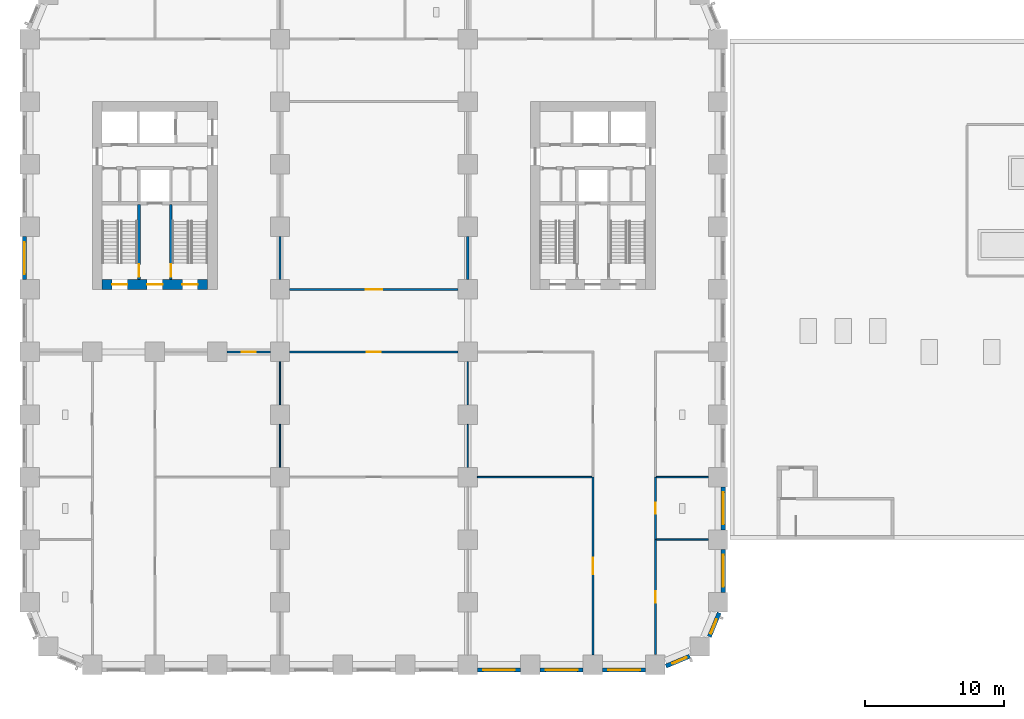
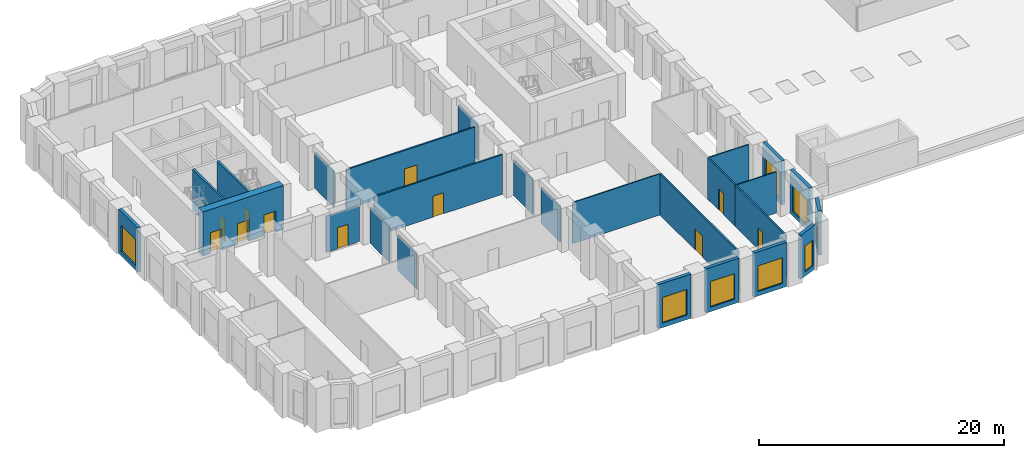
# One storey, part 4 of 14: 26 walls, 11 doors, 8 windows, 19 openings.
"""IFC4 building model written with IfcOpenShell, lengths in metres."""

from ifc_helpers import new_model, si_unit, direction, frame, frame_2d, origin, place, context, subcontext, project, spatial, rectangle, extrude, material, layer, layer_set, type_object, element, fill, save


model = new_model("IFC4")

# Units and contexts
model_context = context("Model", 3, precision=1e-05, world=origin(), true_north=direction((0.0, 1.0)))
body_context = subcontext(model_context, "Body", "Model", "MODEL_VIEW")
ifc_project = project(units=[si_unit("LENGTHUNIT", "METRE"), si_unit("AREAUNIT", "SQUARE_METRE"), si_unit("VOLUMEUNIT", "CUBIC_METRE"), si_unit("PLANEANGLEUNIT", "RADIAN"), si_unit("MASSUNIT", "GRAM", prefix="KILO")], contexts=[model_context])

# Site, building, storey
site_placement = place(None, origin())
site = spatial("IfcSite", under=ifc_project, at=site_placement, CompositionType="ELEMENT")
building_placement = place(site_placement, origin())
building = spatial("IfcBuilding", under=site, at=building_placement, Name="Girih Gate Residences", CompositionType="ELEMENT")
storey_placement = place(building_placement, frame((0.0, 0.0, 26.0)))
storey = spatial("IfcBuildingStorey", under=building, at=storey_placement, Name="L05", CompositionType="ELEMENT", Elevation=26.0)

# Wall, opening, door
ifc_material_1 = material(Name="Gypsum board on steel studs", Category="steel")
ifc_layer_1 = layer(ifc_material_1, 0.14990234375)
ifc_layer_set_1 = layer_set([ifc_layer_1], Name="Compartment wall 150 mm")
wall_type_1 = type_object("IfcWallType", Name="Compartment wall 150 mm", PredefinedType="PARTITIONING", material=ifc_layer_set_1)
wall_1_placement = place(storey_placement, frame((18.699951171875, 27.0, 0.0), z_axis=(0.0, 0.0, 1.0), x_axis=(1.0, 0.0, 0.0)))
wall_1 = element("IfcWall", 1, at=wall_1_placement, inside=storey, type_object=wall_type_1, Name="L05 partition", PredefinedType="PARTITIONING", context=body_context, shape_type="SweptSolid", body=[
    extrude(rectangle(XDim=12.10009765625, YDim=0.14990234375, at=frame_2d((6.050048828125, 0.0))), origin(), (0.0, 0.0, 1.0), 3.949951171875),
])
opening_1_placement = place(wall_1_placement, frame((5.449951171875, 0.0, 0.0)))
opening_1 = element("IfcOpeningElement", 2, at=opening_1_placement, cuts=wall_1, Name="Opening D-L05-S-001", PredefinedType="OPENING", context=body_context, shape_type="SweptSolid", body=[
    extrude(rectangle(XDim=1.199951171875, YDim=2.10009765625, at=frame_2d((0.60009765625, 1.050048828125))), frame((0.0, 0.0849609375, 0.0), z_axis=(0.0, -1.0, 0.0), x_axis=(1.0, 0.0, 0.0)), (0.0, 0.0, 1.0), 0.169921875),
])
ifc_material_2 = material(Name="Timber, fire-rated core", Category="wood")
door_type_1 = type_object("IfcDoorType", Name="Gallery fire door 1200x2100 FD30S", OperationType="SINGLE_SWING_LEFT", PredefinedType="DOOR", material=ifc_material_2)
door_1_placement = place(opening_1_placement, origin())
door_1 = element("IfcDoor", 3, at=door_1_placement, inside=storey, type_object=door_type_1, Name="Door L05-001", OperationType="SINGLE_SWING_RIGHT", OverallHeight=2.10009765625, OverallWidth=1.199951171875, PredefinedType="DOOR", context=body_context, shape_type="SweptSolid", body=[
    extrude(rectangle(XDim=1.199951171875, YDim=2.10009765625, at=frame_2d((0.60009765625, 1.050048828125))), frame((0.0, 0.02490234375, 0.0), z_axis=(0.0, -1.0, 0.0), x_axis=(1.0, 0.0, 0.0)), (0.0, 0.0, 1.0), 0.050048828125),
])
fill(opening_1, door_1)

wall_2_placement = place(storey_placement, frame((30.800048828125, 22.5, 0.0), z_axis=(0.0, 0.0, 1.0), x_axis=(-1.0, 0.0, 0.0)))
wall_2 = element("IfcWall", 4, at=wall_2_placement, inside=storey, type_object=wall_type_1, Name="L05 partition", PredefinedType="PARTITIONING", context=body_context, shape_type="SweptSolid", body=[
    extrude(rectangle(XDim=12.10009765625, YDim=0.14990234375, at=frame_2d((6.050048828125, 0.0))), origin(), (0.0, 0.0, 1.0), 3.949951171875),
])
opening_2_placement = place(wall_2_placement, frame((5.550048828125, 0.0, 0.0)))
opening_2 = element("IfcOpeningElement", 5, at=opening_2_placement, cuts=wall_2, Name="Opening D-L05-S-002", PredefinedType="OPENING", context=body_context, shape_type="SweptSolid", body=[
    extrude(rectangle(XDim=1.0, YDim=2.10009765625, at=frame_2d((0.5, 1.050048828125))), frame((0.0, 0.0849609375, 0.0), z_axis=(0.0, -1.0, 0.0), x_axis=(1.0, 0.0, 0.0)), (0.0, 0.0, 1.0), 0.169921875),
])
door_type_2 = type_object("IfcDoorType", Name="Amenity door 1000x2100 FD30S", OperationType="SINGLE_SWING_LEFT", PredefinedType="DOOR", material=ifc_material_2)
door_2_placement = place(opening_2_placement, origin())
door_2 = element("IfcDoor", 6, at=door_2_placement, inside=storey, type_object=door_type_2, Name="Door L05-002", OperationType="SINGLE_SWING_RIGHT", OverallHeight=2.10009765625, OverallWidth=1.0, PredefinedType="DOOR", context=body_context, shape_type="SweptSolid", body=[
    extrude(rectangle(XDim=1.0, YDim=2.10009765625, at=frame_2d((0.5, 1.050048828125))), frame((0.0, 0.02490234375, 0.0), z_axis=(0.0, -1.0, 0.0), x_axis=(1.0, 0.0, 0.0)), (0.0, 0.0, 1.0), 0.050048828125),
])
fill(opening_2, door_2)

# Walls
for number, where, z_axis, x_axis, name in (
    (7, (31.5, 27.699951171875, 0.0), (0.0, 0.0, 1.0), (0.0, 1.0, 0.0), "L05 partition"),
    (8, (18.0, 27.699951171875, 0.0), (0.0, 0.0, 1.0), (0.0, 1.0, 0.0), "L05 partition"),
):
    element("IfcWall", number, at=place(storey_placement, frame(where, z_axis=z_axis, x_axis=x_axis)), inside=storey, type_object=wall_type_1, Name=name, PredefinedType="PARTITIONING", context=body_context, shape_type="SweptSolid", body=[
        extrude(rectangle(XDim=3.10009765625, YDim=0.14990234375, at=frame_2d((1.550048828125, 0.0))), origin(), (0.0, 0.0, 1.0), 3.580078125),
    ])

# Wall, opening, door
wall_3_placement = place(storey_placement, frame((40.5, 0.699951171875, 0.0), z_axis=(0.0, 0.0, 1.0), x_axis=(0.0, 1.0, 0.0)))
wall_3 = element("IfcWall", 9, at=wall_3_placement, inside=storey, type_object=wall_type_1, Name="L05 partition", PredefinedType="PARTITIONING", context=body_context, shape_type="SweptSolid", body=[
    extrude(rectangle(XDim=12.800048828125, YDim=0.14990234375, at=frame_2d((6.39990234375, 0.0))), origin(), (0.0, 0.0, 1.0), 4.10009765625),
])
opening_3_placement = place(wall_3_placement, frame((5.800048828125, 0.0, 0.0)))
opening_3 = element("IfcOpeningElement", 10, at=opening_3_placement, cuts=wall_3, Name="Opening D-L05-S-010", PredefinedType="OPENING", context=body_context, shape_type="SweptSolid", body=[
    extrude(rectangle(XDim=1.199951171875, YDim=2.10009765625, at=frame_2d((0.60009765625, 1.050048828125))), frame((0.0, 0.0849609375, 0.0), z_axis=(0.0, -1.0, 0.0), x_axis=(1.0, 0.0, 0.0)), (0.0, 0.0, 1.0), 0.169921875),
])
door_3_placement = place(opening_3_placement, origin())
door_3 = element("IfcDoor", 11, at=door_3_placement, inside=storey, type_object=door_type_1, Name="Door L05-010", OperationType="SINGLE_SWING_RIGHT", OverallHeight=2.10009765625, OverallWidth=1.199951171875, PredefinedType="DOOR", context=body_context, shape_type="SweptSolid", body=[
    extrude(rectangle(XDim=1.199951171875, YDim=2.10009765625, at=frame_2d((0.60009765625, 1.050048828125))), frame((0.0, 0.02490234375, 0.0), z_axis=(0.0, -1.0, 0.0), x_axis=(1.0, 0.0, 0.0)), (0.0, 0.0, 1.0), 0.050048828125),
])
fill(opening_3, door_3)

wall_4_placement = place(storey_placement, frame((45.0, 9.0, 0.0), z_axis=(0.0, 0.0, 1.0), x_axis=(0.0, -1.0, 0.0)))
wall_4 = element("IfcWall", 12, at=wall_4_placement, inside=storey, type_object=wall_type_1, Name="L05 partition", PredefinedType="PARTITIONING", context=body_context, shape_type="SweptSolid", body=[
    extrude(rectangle(XDim=8.242431640625, YDim=0.14990234375, at=frame_2d((4.12109375, 0.0))), origin(), (0.0, 0.0, 1.0), 4.10009765625),
])
opening_4_placement = place(wall_4_placement, frame((3.72119140625, 0.0, 0.0)))
opening_4 = element("IfcOpeningElement", 13, at=opening_4_placement, cuts=wall_4, Name="Opening D-L05-S-012", PredefinedType="OPENING", context=body_context, shape_type="SweptSolid", body=[
    extrude(rectangle(XDim=0.800048828125, YDim=2.10009765625, at=frame_2d((0.39990234375, 1.050048828125))), frame((0.0, 0.0849609375, 0.0), z_axis=(0.0, -1.0, 0.0), x_axis=(1.0, 0.0, 0.0)), (0.0, 0.0, 1.0), 0.169921875),
])
ifc_material_3 = material(Name="Timber", Category="wood")
door_type_3 = type_object("IfcDoorType", Name="WC and store door 800x2100", OperationType="SINGLE_SWING_LEFT", PredefinedType="DOOR", material=ifc_material_3)
door_4_placement = place(opening_4_placement, origin())
door_4 = element("IfcDoor", 14, at=door_4_placement, inside=storey, type_object=door_type_3, Name="Door L05-012", OperationType="SINGLE_SWING_RIGHT", OverallHeight=2.10009765625, OverallWidth=0.800048828125, PredefinedType="DOOR", context=body_context, shape_type="SweptSolid", body=[
    extrude(rectangle(XDim=0.800048828125, YDim=2.10009765625, at=frame_2d((0.39990234375, 1.050048828125))), frame((0.0, 0.02490234375, 0.0), z_axis=(0.0, -1.0, 0.0), x_axis=(1.0, 0.0, 0.0)), (0.0, 0.0, 1.0), 0.050048828125),
])
fill(opening_4, door_4)

wall_5_placement = place(storey_placement, frame((45.0, 13.5, 0.0), z_axis=(0.0, 0.0, 1.0), x_axis=(0.0, -1.0, 0.0)))
wall_5 = element("IfcWall", 15, at=wall_5_placement, inside=storey, type_object=wall_type_1, Name="L05 partition", PredefinedType="PARTITIONING", context=body_context, shape_type="SweptSolid", body=[
    extrude(rectangle(XDim=4.5, YDim=0.14990234375, at=frame_2d((2.25, 0.0))), origin(), (0.0, 0.0, 1.0), 4.10009765625),
])
opening_5_placement = place(wall_5_placement, frame((1.85009765625, 0.0, 0.0)))
opening_5 = element("IfcOpeningElement", 16, at=opening_5_placement, cuts=wall_5, Name="Opening D-L05-S-013", PredefinedType="OPENING", context=body_context, shape_type="SweptSolid", body=[
    extrude(rectangle(XDim=0.800048828125, YDim=2.10009765625, at=frame_2d((0.39990234375, 1.050048828125))), frame((0.0, 0.0849609375, 0.0), z_axis=(0.0, -1.0, 0.0), x_axis=(1.0, 0.0, 0.0)), (0.0, 0.0, 1.0), 0.169921875),
])
door_5_placement = place(opening_5_placement, origin())
door_5 = element("IfcDoor", 17, at=door_5_placement, inside=storey, type_object=door_type_3, Name="Door L05-013", OperationType="SINGLE_SWING_RIGHT", OverallHeight=2.10009765625, OverallWidth=0.800048828125, PredefinedType="DOOR", context=body_context, shape_type="SweptSolid", body=[
    extrude(rectangle(XDim=0.800048828125, YDim=2.10009765625, at=frame_2d((0.39990234375, 1.050048828125))), frame((0.0, 0.02490234375, 0.0), z_axis=(0.0, -1.0, 0.0), x_axis=(1.0, 0.0, 0.0)), (0.0, 0.0, 1.0), 0.050048828125),
])
fill(opening_5, door_5)

wall_6_placement = place(storey_placement, frame((17.300048828125, 22.5, 0.0), z_axis=(0.0, 0.0, 1.0), x_axis=(-1.0, 0.0, 0.0)))
wall_6 = element("IfcWall", 18, at=wall_6_placement, inside=storey, type_object=wall_type_1, Name="L05 partition", PredefinedType="PARTITIONING", context=body_context, shape_type="SweptSolid", body=[
    extrude(rectangle(XDim=3.10009765625, YDim=0.14990234375, at=frame_2d((1.550048828125, 0.0))), origin(), (0.0, 0.0, 1.0), 3.580078125),
])
opening_6_placement = place(wall_6_placement, frame((1.050048828125, 0.0, 0.0)))
opening_6 = element("IfcOpeningElement", 19, at=opening_6_placement, cuts=wall_6, Name="Opening D-L05-S-015", PredefinedType="OPENING", context=body_context, shape_type="SweptSolid", body=[
    extrude(rectangle(XDim=1.0, YDim=2.10009765625, at=frame_2d((0.5, 1.050048828125))), frame((0.0, 0.0849609375, 0.0), z_axis=(0.0, -1.0, 0.0), x_axis=(1.0, 0.0, 0.0)), (0.0, 0.0, 1.0), 0.169921875),
])
door_6_placement = place(opening_6_placement, origin())
door_6 = element("IfcDoor", 20, at=door_6_placement, inside=storey, type_object=door_type_2, Name="Door L05-015", OperationType="SINGLE_SWING_RIGHT", OverallHeight=2.10009765625, OverallWidth=1.0, PredefinedType="DOOR", context=body_context, shape_type="SweptSolid", body=[
    extrude(rectangle(XDim=1.0, YDim=2.10009765625, at=frame_2d((0.5, 1.050048828125))), frame((0.0, 0.02490234375, 0.0), z_axis=(0.0, -1.0, 0.0), x_axis=(1.0, 0.0, 0.0)), (0.0, 0.0, 1.0), 0.050048828125),
])
fill(opening_6, door_6)

# Wall, openings, doors
ifc_material_4 = material(Name="Concrete C60/75", Category="concrete")
ifc_layer_2 = layer(ifc_material_4, 0.699951171875)
ifc_layer_set_2 = layer_set([ifc_layer_2], Name="Core wall RC 700 Concrete C60/75")
wall_type_2 = type_object("IfcWallType", Name="Core wall RC 700 Concrete C60/75", PredefinedType="SOLIDWALL", material=ifc_layer_set_2)
wall_7_placement = place(storey_placement, frame((5.199951171875, 27.35009765625, 0.0), z_axis=(0.0, 0.0, 1.0), x_axis=(1.0, 0.0, 0.0)))
wall_7 = element("IfcWall", 21, at=wall_7_placement, inside=storey, type_object=wall_type_2, Name="Core wall W-S L05", PredefinedType="SOLIDWALL", context=body_context, shape_type="SweptSolid", body=[
    extrude(rectangle(XDim=7.60009765625, YDim=0.699951171875, at=frame_2d((3.800048828125, 0.0))), origin(), (0.0, 0.0, 1.0), 4.39990234375),
])
opening_7_placement = place(wall_7_placement, frame((0.72509765625, 0.0, 0.0)))
opening_7 = element("IfcOpeningElement", 22, at=opening_7_placement, cuts=wall_7, Name="Opening D-L05-W-010", PredefinedType="OPENING", context=body_context, shape_type="SweptSolid", body=[
    extrude(rectangle(XDim=1.10009765625, YDim=2.10009765625, at=frame_2d((0.550048828125, 1.050048828125))), frame((0.0, 0.35986328125, 0.0), z_axis=(0.0, -1.0, 0.0), x_axis=(1.0, 0.0, 0.0)), (0.0, 0.0, 1.0), 0.719970703125),
])
opening_8_placement = place(wall_7_placement, frame((3.25, 0.0, 0.0)))
opening_8 = element("IfcOpeningElement", 23, at=opening_8_placement, cuts=wall_7, Name="Opening D-L05-W-011", PredefinedType="OPENING", context=body_context, shape_type="SweptSolid", body=[
    extrude(rectangle(XDim=1.10009765625, YDim=2.10009765625, at=frame_2d((0.550048828125, 1.050048828125))), frame((0.0, 0.35986328125, 0.0), z_axis=(0.0, -1.0, 0.0), x_axis=(1.0, 0.0, 0.0)), (0.0, 0.0, 1.0), 0.719970703125),
])
opening_9_placement = place(wall_7_placement, frame((5.77490234375, 0.0, 0.0)))
opening_9 = element("IfcOpeningElement", 24, at=opening_9_placement, cuts=wall_7, Name="Opening D-L05-W-012", PredefinedType="OPENING", context=body_context, shape_type="SweptSolid", body=[
    extrude(rectangle(XDim=1.10009765625, YDim=2.10009765625, at=frame_2d((0.550048828125, 1.050048828125))), frame((0.0, 0.35986328125, 0.0), z_axis=(0.0, -1.0, 0.0), x_axis=(1.0, 0.0, 0.0)), (0.0, 0.0, 1.0), 0.719970703125),
])
ifc_material_5 = material(Name="Painted steel, fire-resisting", Category="steel")
door_type_4 = type_object("IfcDoorType", Name="Fire door 1100x2100", OperationType="SINGLE_SWING_LEFT", PredefinedType="DOOR", material=ifc_material_5)
door_7_placement = place(opening_7_placement, origin())
door_7 = element("IfcDoor", 25, at=door_7_placement, inside=storey, type_object=door_type_4, Name="L05 W core door sta-out", OperationType="SINGLE_SWING_LEFT", OverallHeight=2.10009765625, OverallWidth=1.10009765625, PredefinedType="DOOR", context=body_context, shape_type="SweptSolid", body=[
    extrude(rectangle(XDim=1.10009765625, YDim=2.10009765625, at=frame_2d((0.550048828125, 1.050048828125))), frame((0.0, 0.02490234375, 0.0), z_axis=(0.0, -1.0, 0.0), x_axis=(1.0, 0.0, 0.0)), (0.0, 0.0, 1.0), 0.050048828125),
])
fill(opening_7, door_7)
door_8_placement = place(opening_8_placement, origin())
door_8 = element("IfcDoor", 26, at=door_8_placement, inside=storey, type_object=door_type_4, Name="L05 W core door ffl-out", OperationType="SINGLE_SWING_LEFT", OverallHeight=2.10009765625, OverallWidth=1.10009765625, PredefinedType="DOOR", context=body_context, shape_type="SweptSolid", body=[
    extrude(rectangle(XDim=1.10009765625, YDim=2.10009765625, at=frame_2d((0.550048828125, 1.050048828125))), frame((0.0, 0.02490234375, 0.0), z_axis=(0.0, -1.0, 0.0), x_axis=(1.0, 0.0, 0.0)), (0.0, 0.0, 1.0), 0.050048828125),
])
fill(opening_8, door_8)
door_9_placement = place(opening_9_placement, origin())
door_9 = element("IfcDoor", 27, at=door_9_placement, inside=storey, type_object=door_type_4, Name="L05 W core door stb-out", OperationType="SINGLE_SWING_LEFT", OverallHeight=2.10009765625, OverallWidth=1.10009765625, PredefinedType="DOOR", context=body_context, shape_type="SweptSolid", body=[
    extrude(rectangle(XDim=1.10009765625, YDim=2.10009765625, at=frame_2d((0.550048828125, 1.050048828125))), frame((0.0, 0.02490234375, 0.0), z_axis=(0.0, -1.0, 0.0), x_axis=(1.0, 0.0, 0.0)), (0.0, 0.0, 1.0), 0.050048828125),
])
fill(opening_9, door_9)

# Walls
ifc_layer_3 = layer(ifc_material_1, 0.10009765625)
ifc_layer_set_3 = layer_set([ifc_layer_3], Name="Partition 100 mm")
wall_type_3 = type_object("IfcWallType", Name="Partition 100 mm", PredefinedType="PARTITIONING", material=ifc_layer_set_3)
for number, where, z_axis, x_axis, name in (
    (28, (31.5, 18.699951171875, 0.0), (0.0, 0.0, 1.0), (0.0, 1.0, 0.0), "L05 partition"),
    (29, (31.5, 14.199951171875, 0.0), (0.0, 0.0, 1.0), (0.0, 1.0, 0.0), "L05 partition"),
    (30, (18.0, 14.199951171875, 0.0), (0.0, 0.0, 1.0), (0.0, 1.0, 0.0), "L05 partition"),
    (31, (18.0, 18.699951171875, 0.0), (0.0, 0.0, 1.0), (0.0, 1.0, 0.0), "L05 partition"),
):
    element("IfcWall", number, at=place(storey_placement, frame(where, z_axis=z_axis, x_axis=x_axis)), inside=storey, type_object=wall_type_3, Name=name, PredefinedType="PARTITIONING", context=body_context, shape_type="SweptSolid", body=[
        extrude(rectangle(XDim=3.10009765625, YDim=0.10009765625, at=frame_2d((1.550048828125, 0.0))), origin(), (0.0, 0.0, 1.0), 3.580078125),
    ])
wall_8_placement = place(storey_placement, frame((32.199951171875, 13.5, 0.0), z_axis=(0.0, 0.0, 1.0), x_axis=(1.0, 0.0, 0.0)))
element("IfcWall", 32, at=wall_8_placement, inside=storey, type_object=wall_type_3, Name="L05 partition", PredefinedType="PARTITIONING", context=body_context, shape_type="SweptSolid", body=[
    extrude(rectangle(XDim=8.22509765625, YDim=0.10009765625, at=frame_2d((4.112548828125, 0.0))), origin(), (0.0, 0.0, 1.0), 4.10009765625),
])
for number, where, z_axis, x_axis, name in (
    (33, (45.074951171875, 9.0, 0.0), (0.0, 0.0, 1.0), (1.0, 0.0, 0.0), "L05 partition"),
    (34, (45.074951171875, 13.5, 0.0), (0.0, 0.0, 1.0), (1.0, 0.0, 0.0), "L05 partition"),
):
    element("IfcWall", number, at=place(storey_placement, frame(where, z_axis=z_axis, x_axis=x_axis)), inside=storey, type_object=wall_type_3, Name=name, PredefinedType="PARTITIONING", context=body_context, shape_type="SweptSolid", body=[
        extrude(rectangle(XDim=3.72509765625, YDim=0.10009765625, at=frame_2d((1.862548828125, 0.0))), origin(), (0.0, 0.0, 1.0), 4.10009765625),
    ])

# Wall, opening, window
ifc_material_6 = material(Name="Precast concrete C50/60", Category="concrete")
ifc_layer_4 = layer(ifc_material_6, 0.080078125, Name="Outer leaf")
ifc_material_7 = material(Name="Rigid PIR insulation")
ifc_layer_5 = layer(ifc_material_7, 0.14990234375, Name="Insulation")
ifc_material_8 = material(Name="Precast concrete C40/50", Category="concrete")
ifc_layer_6 = layer(ifc_material_8, 0.070068359375, Name="Inner leaf")
ifc_layer_set_4 = layer_set([ifc_layer_4, ifc_layer_5, ifc_layer_6], Name="Precast concrete C50/60 external wall 300")
wall_type_4 = type_object("IfcWallType", Name="Precast concrete C50/60 external wall 300", PredefinedType="SOLIDWALL", material=ifc_layer_set_4)
wall_9_placement = place(storey_placement, frame((35.300048828125, -0.375, 0.0), z_axis=(0.0, 0.0, 1.0), x_axis=(-1.0, 0.0, 0.0)))
wall_9 = element("IfcWall", 35, at=wall_9_placement, inside=storey, type_object=wall_type_4, Name="External wall S0045_0000.6", PredefinedType="SOLIDWALL", context=body_context, shape_type="SweptSolid", body=[
    extrude(rectangle(XDim=3.10009765625, YDim=0.300048828125, at=frame_2d((1.550048828125, 0.0))), origin(), (0.0, 0.0, 1.0), 4.39990234375),
])
opening_10_placement = place(wall_9_placement, frame((0.39990234375, 0.0, 0.449951171875)))
opening_10 = element("IfcOpeningElement", 36, at=opening_10_placement, cuts=wall_9, Name="Opening W-6", PredefinedType="OPENING", context=body_context, shape_type="SweptSolid", body=[
    extrude(rectangle(XDim=2.300048828125, YDim=2.550048828125, at=frame_2d((1.14990234375, 1.27490234375))), frame((0.0, 0.159912109375, 0.0), z_axis=(0.0, -1.0, 0.0), x_axis=(1.0, 0.0, 0.0)), (0.0, 0.0, 1.0), 0.320068359375),
])
ifc_material_9 = material(Name="Double glazing in aluminium frame", Category="aluminium")
window_type_1 = type_object("IfcWindowType", Name="Window W-6 2300x2550", PartitioningType="SINGLE_PANEL", PredefinedType="WINDOW", material=ifc_material_9)
window_1_placement = place(opening_10_placement, origin())
window_1 = element("IfcWindow", 37, at=window_1_placement, inside=storey, type_object=window_type_1, Name="Window W-6 S0045_0000.6", OverallHeight=2.550048828125, OverallWidth=2.300048828125, PartitioningType="SINGLE_PANEL", PredefinedType="WINDOW", context=body_context, shape_type="SweptSolid", body=[
    extrude(rectangle(XDim=2.300048828125, YDim=2.550048828125, at=frame_2d((1.14990234375, 1.27490234375))), frame((0.0, 0.030029296875, 0.0), z_axis=(0.0, -1.0, 0.0), x_axis=(1.0, 0.0, 0.0)), (0.0, 0.0, 1.0), 0.06005859375),
])
fill(opening_10, window_1)

wall_10_placement = place(storey_placement, frame((39.800048828125, -0.375, 0.0), z_axis=(0.0, 0.0, 1.0), x_axis=(-1.0, 0.0, 0.0)))
wall_10 = element("IfcWall", 38, at=wall_10_placement, inside=storey, type_object=wall_type_4, Name="External wall S0045_0000.7", PredefinedType="SOLIDWALL", context=body_context, shape_type="SweptSolid", body=[
    extrude(rectangle(XDim=3.10009765625, YDim=0.300048828125, at=frame_2d((1.550048828125, 0.0))), origin(), (0.0, 0.0, 1.0), 4.39990234375),
])
opening_11_placement = place(wall_10_placement, frame((0.39990234375, 0.0, 0.449951171875)))
opening_11 = element("IfcOpeningElement", 39, at=opening_11_placement, cuts=wall_10, Name="Opening W-6", PredefinedType="OPENING", context=body_context, shape_type="SweptSolid", body=[
    extrude(rectangle(XDim=2.300048828125, YDim=2.550048828125, at=frame_2d((1.14990234375, 1.27490234375))), frame((0.0, 0.159912109375, 0.0), z_axis=(0.0, -1.0, 0.0), x_axis=(1.0, 0.0, 0.0)), (0.0, 0.0, 1.0), 0.320068359375),
])
window_2_placement = place(opening_11_placement, origin())
window_2 = element("IfcWindow", 40, at=window_2_placement, inside=storey, type_object=window_type_1, Name="Window W-6 S0045_0000.7", OverallHeight=2.550048828125, OverallWidth=2.300048828125, PartitioningType="SINGLE_PANEL", PredefinedType="WINDOW", context=body_context, shape_type="SweptSolid", body=[
    extrude(rectangle(XDim=2.300048828125, YDim=2.550048828125, at=frame_2d((1.14990234375, 1.27490234375))), frame((0.0, 0.030029296875, 0.0), z_axis=(0.0, -1.0, 0.0), x_axis=(1.0, 0.0, 0.0)), (0.0, 0.0, 1.0), 0.06005859375),
])
fill(opening_11, window_2)

wall_11_placement = place(storey_placement, frame((44.300048828125, -0.375, 0.0), z_axis=(0.0, 0.0, 1.0), x_axis=(-1.0, 0.0, 0.0)))
wall_11 = element("IfcWall", 41, at=wall_11_placement, inside=storey, type_object=wall_type_4, Name="External wall S0045_0000.8", PredefinedType="SOLIDWALL", context=body_context, shape_type="SweptSolid", body=[
    extrude(rectangle(XDim=3.10009765625, YDim=0.300048828125, at=frame_2d((1.550048828125, 0.0))), origin(), (0.0, 0.0, 1.0), 4.39990234375),
])
opening_12_placement = place(wall_11_placement, frame((0.39990234375, 0.0, 0.449951171875)))
opening_12 = element("IfcOpeningElement", 42, at=opening_12_placement, cuts=wall_11, Name="Opening W-6", PredefinedType="OPENING", context=body_context, shape_type="SweptSolid", body=[
    extrude(rectangle(XDim=2.300048828125, YDim=2.550048828125, at=frame_2d((1.14990234375, 1.27490234375))), frame((0.0, 0.159912109375, 0.0), z_axis=(0.0, -1.0, 0.0), x_axis=(1.0, 0.0, 0.0)), (0.0, 0.0, 1.0), 0.320068359375),
])
window_3_placement = place(opening_12_placement, origin())
window_3 = element("IfcWindow", 43, at=window_3_placement, inside=storey, type_object=window_type_1, Name="Window W-6 S0045_0000.8", OverallHeight=2.550048828125, OverallWidth=2.300048828125, PartitioningType="SINGLE_PANEL", PredefinedType="WINDOW", context=body_context, shape_type="SweptSolid", body=[
    extrude(rectangle(XDim=2.300048828125, YDim=2.550048828125, at=frame_2d((1.14990234375, 1.27490234375))), frame((0.0, 0.030029296875, 0.0), z_axis=(0.0, -1.0, 0.0), x_axis=(1.0, 0.0, 0.0)), (0.0, 0.0, 1.0), 0.06005859375),
])
fill(opening_12, window_3)

wall_12_placement = place(storey_placement, frame((47.48046875, 0.62158203125, 0.0), z_axis=(0.0, 0.0, 1.0), x_axis=(-0.923903565336, -0.38262540684, 0.0)))
wall_12 = element("IfcWall", 44, at=wall_12_placement, inside=storey, type_object=wall_type_4, Name="External wall SE0450_0000.0", PredefinedType="SOLIDWALL", context=body_context, shape_type="SweptSolid", body=[
    extrude(rectangle(XDim=1.864990234375, YDim=0.300048828125, at=frame_2d((0.9326171875, 0.0))), origin(), (0.0, 0.0, 1.0), 4.39990234375),
])
opening_13_placement = place(wall_12_placement, frame((0.257568359375, 0.0, 0.449951171875)))
opening_13 = element("IfcOpeningElement", 45, at=opening_13_placement, cuts=wall_12, Name="Opening W-2B", PredefinedType="OPENING", context=body_context, shape_type="SweptSolid", body=[
    extrude(rectangle(XDim=1.10009765625, YDim=2.550048828125, at=frame_2d((0.550048828125, 1.27490234375))), frame((0.0, 0.159912109375, 0.0), z_axis=(0.0, -1.0, 0.0), x_axis=(1.0, 0.0, 0.0)), (0.0, 0.0, 1.0), 0.320068359375),
])
window_type_2 = type_object("IfcWindowType", Name="Window W-2B 1100x2550", PartitioningType="SINGLE_PANEL", PredefinedType="WINDOW", material=ifc_material_9)
window_4_placement = place(opening_13_placement, origin())
window_4 = element("IfcWindow", 46, at=window_4_placement, inside=storey, type_object=window_type_2, Name="Window W-2B SE0450_0000.0", OverallHeight=2.550048828125, OverallWidth=1.10009765625, PartitioningType="SINGLE_PANEL", PredefinedType="WINDOW", context=body_context, shape_type="SweptSolid", body=[
    extrude(rectangle(XDim=1.10009765625, YDim=2.550048828125, at=frame_2d((0.550048828125, 1.27490234375))), frame((0.0, 0.030029296875, 0.0), z_axis=(0.0, -1.0, 0.0), x_axis=(1.0, 0.0, 0.0)), (0.0, 0.0, 1.0), 0.06005859375),
])
fill(opening_13, window_4)

wall_13_placement = place(storey_placement, frame((49.59228515625, 3.74267578125, 0.0), z_axis=(0.0, 0.0, 1.0), x_axis=(-0.382737135771, -0.923857286003, 0.0)))
wall_13 = element("IfcWall", 47, at=wall_13_placement, inside=storey, type_object=wall_type_4, Name="External wall SE0482_0013.0", PredefinedType="SOLIDWALL", context=body_context, shape_type="SweptSolid", body=[
    extrude(rectangle(XDim=1.865234375, YDim=0.300048828125, at=frame_2d((0.9326171875, 0.0))), origin(), (0.0, 0.0, 1.0), 4.39990234375),
])
opening_14_placement = place(wall_13_placement, frame((0.507568359375, 0.0, 0.449951171875)))
opening_14 = element("IfcOpeningElement", 48, at=opening_14_placement, cuts=wall_13, Name="Opening W-2B", PredefinedType="OPENING", context=body_context, shape_type="SweptSolid", body=[
    extrude(rectangle(XDim=1.10009765625, YDim=2.550048828125, at=frame_2d((0.550048828125, 1.27490234375))), frame((0.0, 0.159912109375, 0.0), z_axis=(0.0, -1.0, 0.0), x_axis=(1.0, 0.0, 0.0)), (0.0, 0.0, 1.0), 0.320068359375),
])
window_5_placement = place(opening_14_placement, origin())
window_5 = element("IfcWindow", 49, at=window_5_placement, inside=storey, type_object=window_type_2, Name="Window W-2B SE0482_0013.0", OverallHeight=2.550048828125, OverallWidth=1.10009765625, PartitioningType="SINGLE_PANEL", PredefinedType="WINDOW", context=body_context, shape_type="SweptSolid", body=[
    extrude(rectangle(XDim=1.10009765625, YDim=2.550048828125, at=frame_2d((0.550048828125, 1.27490234375))), frame((0.0, 0.030029296875, 0.0), z_axis=(0.0, -1.0, 0.0), x_axis=(1.0, 0.0, 0.0)), (0.0, 0.0, 1.0), 0.06005859375),
])
fill(opening_14, window_5)

wall_14_placement = place(storey_placement, frame((49.875, 8.300048828125, 0.0), z_axis=(0.0, 0.0, 1.0), x_axis=(0.0, -1.0, 0.0)))
wall_14 = element("IfcWall", 50, at=wall_14_placement, inside=storey, type_object=wall_type_4, Name="External wall E0495_0045.0", PredefinedType="SOLIDWALL", context=body_context, shape_type="SweptSolid", body=[
    extrude(rectangle(XDim=3.10009765625, YDim=0.300048828125, at=frame_2d((1.550048828125, 0.0))), origin(), (0.0, 0.0, 1.0), 4.39990234375),
])
opening_15_placement = place(wall_14_placement, frame((0.39990234375, 0.0, 0.449951171875)))
opening_15 = element("IfcOpeningElement", 51, at=opening_15_placement, cuts=wall_14, Name="Opening W-6", PredefinedType="OPENING", context=body_context, shape_type="SweptSolid", body=[
    extrude(rectangle(XDim=2.300048828125, YDim=2.550048828125, at=frame_2d((1.14990234375, 1.27490234375))), frame((0.0, 0.159912109375, 0.0), z_axis=(0.0, -1.0, 0.0), x_axis=(1.0, 0.0, 0.0)), (0.0, 0.0, 1.0), 0.320068359375),
])
window_6_placement = place(opening_15_placement, origin())
window_6 = element("IfcWindow", 52, at=window_6_placement, inside=storey, type_object=window_type_1, Name="Window W-6 E0495_0045.0", OverallHeight=2.550048828125, OverallWidth=2.300048828125, PartitioningType="SINGLE_PANEL", PredefinedType="WINDOW", context=body_context, shape_type="SweptSolid", body=[
    extrude(rectangle(XDim=2.300048828125, YDim=2.550048828125, at=frame_2d((1.14990234375, 1.27490234375))), frame((0.0, 0.030029296875, 0.0), z_axis=(0.0, -1.0, 0.0), x_axis=(1.0, 0.0, 0.0)), (0.0, 0.0, 1.0), 0.06005859375),
])
fill(opening_15, window_6)

wall_15_placement = place(storey_placement, frame((49.875, 12.800048828125, 0.0), z_axis=(0.0, 0.0, 1.0), x_axis=(0.0, -1.0, 0.0)))
wall_15 = element("IfcWall", 53, at=wall_15_placement, inside=storey, type_object=wall_type_4, Name="External wall E0495_0045.1", PredefinedType="SOLIDWALL", context=body_context, shape_type="SweptSolid", body=[
    extrude(rectangle(XDim=3.10009765625, YDim=0.300048828125, at=frame_2d((1.550048828125, 0.0))), origin(), (0.0, 0.0, 1.0), 4.39990234375),
])
opening_16_placement = place(wall_15_placement, frame((0.39990234375, 0.0, 0.449951171875)))
opening_16 = element("IfcOpeningElement", 54, at=opening_16_placement, cuts=wall_15, Name="Opening W-6", PredefinedType="OPENING", context=body_context, shape_type="SweptSolid", body=[
    extrude(rectangle(XDim=2.300048828125, YDim=2.550048828125, at=frame_2d((1.14990234375, 1.27490234375))), frame((0.0, 0.159912109375, 0.0), z_axis=(0.0, -1.0, 0.0), x_axis=(1.0, 0.0, 0.0)), (0.0, 0.0, 1.0), 0.320068359375),
])
window_7_placement = place(opening_16_placement, origin())
window_7 = element("IfcWindow", 55, at=window_7_placement, inside=storey, type_object=window_type_1, Name="Window W-6 E0495_0045.1", OverallHeight=2.550048828125, OverallWidth=2.300048828125, PartitioningType="SINGLE_PANEL", PredefinedType="WINDOW", context=body_context, shape_type="SweptSolid", body=[
    extrude(rectangle(XDim=2.300048828125, YDim=2.550048828125, at=frame_2d((1.14990234375, 1.27490234375))), frame((0.0, 0.030029296875, 0.0), z_axis=(0.0, -1.0, 0.0), x_axis=(1.0, 0.0, 0.0)), (0.0, 0.0, 1.0), 0.06005859375),
])
fill(opening_16, window_7)

wall_16_placement = place(storey_placement, frame((-0.375, 27.699951171875, 0.0), z_axis=(0.0, 0.0, 1.0), x_axis=(0.0, 1.0, 0.0)))
wall_16 = element("IfcWall", 56, at=wall_16_placement, inside=storey, type_object=wall_type_4, Name="External wall W0000_0450.3", PredefinedType="SOLIDWALL", context=body_context, shape_type="SweptSolid", body=[
    extrude(rectangle(XDim=3.10009765625, YDim=0.300048828125, at=frame_2d((1.550048828125, 0.0))), origin(), (0.0, 0.0, 1.0), 4.39990234375),
])
opening_17_placement = place(wall_16_placement, frame((0.39990234375, 0.0, 0.449951171875)))
opening_17 = element("IfcOpeningElement", 57, at=opening_17_placement, cuts=wall_16, Name="Opening W-6", PredefinedType="OPENING", context=body_context, shape_type="SweptSolid", body=[
    extrude(rectangle(XDim=2.300048828125, YDim=2.550048828125, at=frame_2d((1.14990234375, 1.27490234375))), frame((0.0, 0.159912109375, 0.0), z_axis=(0.0, -1.0, 0.0), x_axis=(1.0, 0.0, 0.0)), (0.0, 0.0, 1.0), 0.320068359375),
])
window_8_placement = place(opening_17_placement, origin())
window_8 = element("IfcWindow", 58, at=window_8_placement, inside=storey, type_object=window_type_1, Name="Window W-6 W0000_0450.3", OverallHeight=2.550048828125, OverallWidth=2.300048828125, PartitioningType="SINGLE_PANEL", PredefinedType="WINDOW", context=body_context, shape_type="SweptSolid", body=[
    extrude(rectangle(XDim=2.300048828125, YDim=2.550048828125, at=frame_2d((1.14990234375, 1.27490234375))), frame((0.0, 0.030029296875, 0.0), z_axis=(0.0, -1.0, 0.0), x_axis=(1.0, 0.0, 0.0)), (0.0, 0.0, 1.0), 0.06005859375),
])
fill(opening_17, window_8)

# Wall, opening, door
ifc_material_10 = material(Name="Concrete C40/50", Category="concrete")
ifc_layer_7 = layer(ifc_material_10, 0.199951171875)
ifc_layer_set_5 = layer_set([ifc_layer_7], Name="Shaft wall 200")
wall_type_5 = type_object("IfcWallType", Name="Shaft wall 200", PredefinedType="SOLIDWALL", material=ifc_layer_set_5)
wall_17_placement = place(storey_placement, frame((7.85009765625, 27.699951171875, 0.0), z_axis=(0.0, 0.0, 1.0), x_axis=(0.0, 1.0, 0.0)))
wall_17 = element("IfcWall", 59, at=wall_17_placement, inside=storey, type_object=wall_type_5, Name="L05 W core wall V1a", PredefinedType="SOLIDWALL", context=body_context, shape_type="SweptSolid", body=[
    extrude(rectangle(XDim=5.400146484375, YDim=0.199951171875, at=frame_2d((2.7001953125, 0.0))), origin(), (0.0, 0.0, 1.0), 4.10009765625),
])
opening_18_placement = place(wall_17_placement, frame((0.199951171875, 0.0, 0.0)))
opening_18 = element("IfcOpeningElement", 60, at=opening_18_placement, cuts=wall_17, Name="Opening D-L05-W-001", PredefinedType="OPENING", context=body_context, shape_type="SweptSolid", body=[
    extrude(rectangle(XDim=0.89990234375, YDim=2.10009765625, at=frame_2d((0.449951171875, 1.050048828125))), frame((0.0, 0.10986328125, 0.0), z_axis=(0.0, -1.0, 0.0), x_axis=(1.0, 0.0, 0.0)), (0.0, 0.0, 1.0), 0.219970703125),
])
door_type_5 = type_object("IfcDoorType", Name="Fire door 900x2100", OperationType="SINGLE_SWING_LEFT", PredefinedType="DOOR", material=ifc_material_5)
door_10_placement = place(opening_18_placement, origin())
door_10 = element("IfcDoor", 61, at=door_10_placement, inside=storey, type_object=door_type_5, Name="L05 W door stair 1 to firefighting lobby", OperationType="SINGLE_SWING_LEFT", OverallHeight=2.10009765625, OverallWidth=0.89990234375, PredefinedType="DOOR", context=body_context, shape_type="SweptSolid", body=[
    extrude(rectangle(XDim=0.89990234375, YDim=2.10009765625, at=frame_2d((0.449951171875, 1.050048828125))), frame((0.0, 0.02490234375, 0.0), z_axis=(0.0, -1.0, 0.0), x_axis=(1.0, 0.0, 0.0)), (0.0, 0.0, 1.0), 0.050048828125),
])
fill(opening_18, door_10)

wall_18_placement = place(storey_placement, frame((10.14990234375, 27.699951171875, 0.0), z_axis=(0.0, 0.0, 1.0), x_axis=(0.0, 1.0, 0.0)))
wall_18 = element("IfcWall", 62, at=wall_18_placement, inside=storey, type_object=wall_type_5, Name="L05 W core wall V2a", PredefinedType="SOLIDWALL", context=body_context, shape_type="SweptSolid", body=[
    extrude(rectangle(XDim=5.400146484375, YDim=0.199951171875, at=frame_2d((2.7001953125, 0.0))), origin(), (0.0, 0.0, 1.0), 4.10009765625),
])
opening_19_placement = place(wall_18_placement, frame((0.199951171875, 0.0, 0.0)))
opening_19 = element("IfcOpeningElement", 63, at=opening_19_placement, cuts=wall_18, Name="Opening D-L05-W-002", PredefinedType="OPENING", context=body_context, shape_type="SweptSolid", body=[
    extrude(rectangle(XDim=0.89990234375, YDim=2.10009765625, at=frame_2d((0.449951171875, 1.050048828125))), frame((0.0, 0.10986328125, 0.0), z_axis=(0.0, -1.0, 0.0), x_axis=(1.0, 0.0, 0.0)), (0.0, 0.0, 1.0), 0.219970703125),
])
door_11_placement = place(opening_19_placement, origin())
door_11 = element("IfcDoor", 64, at=door_11_placement, inside=storey, type_object=door_type_5, Name="L05 W door stair 2 to firefighting lobby", OperationType="SINGLE_SWING_LEFT", OverallHeight=2.10009765625, OverallWidth=0.89990234375, PredefinedType="DOOR", context=body_context, shape_type="SweptSolid", body=[
    extrude(rectangle(XDim=0.89990234375, YDim=2.10009765625, at=frame_2d((0.449951171875, 1.050048828125))), frame((0.0, 0.02490234375, 0.0), z_axis=(0.0, -1.0, 0.0), x_axis=(1.0, 0.0, 0.0)), (0.0, 0.0, 1.0), 0.050048828125),
])
fill(opening_19, door_11)

save(model, "model.ifc")
